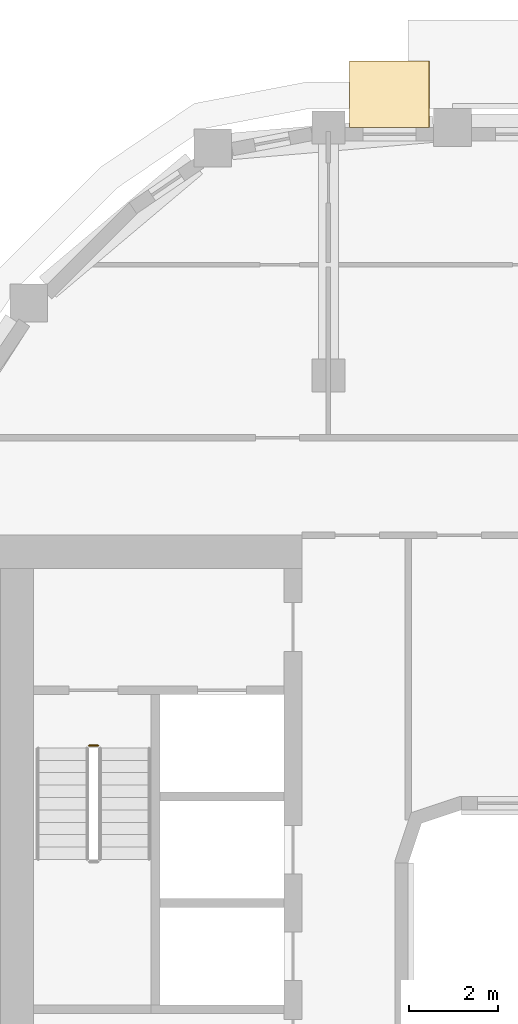
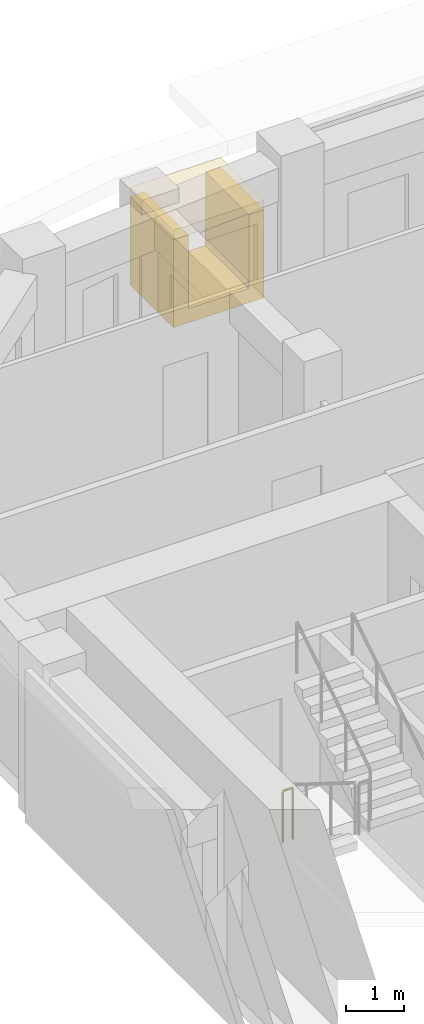
# One storey, part 19 of 21: 2 coverings, 1 railing.
"""IFC4 building model written with IfcOpenShell, lengths in metres."""

import ifcopenshell
import ifcopenshell.guid

model = None  # the IFC model being written
_history = None  # IfcOwnerHistory: only IFC2X3 demands one
_inside = {}  # id of a spatial element -> (the spatial element, [elements in it])
_under = {}  # id of a project, library or spatial element -> (it, [spatial elements below it])
_declared = {}  # id of a project -> (the project, [libraries it declares])
_typed = {}  # id of a type object -> (the type object, [elements of that type])
_made_of = {}  # id of a material, layer set ... -> (it, [elements and type objects made of it])


def new_model(schema):
    """Start an empty IFC model of exactly this schema.

    Asked for "IFC4X3", IfcOpenShell would pick the latest addendum, in which some entities
    have other attributes; the version numbers below select the first issue.
    IFC2X3 requires an IfcOwnerHistory on every rooted entity: one is made here for all.
    """
    global model, _history
    if schema == "IFC4X3":
        model = ifcopenshell.file(schema_version=(4, 3, 0, 0))
    else:
        model = ifcopenshell.file(schema=schema)
    _inside.clear()
    _under.clear()
    _declared.clear()
    _typed.clear()
    _made_of.clear()
    _history = None
    if model.schema == "IFC2X3":
        org = make("IfcOrganization", Name="unknown")
        user = make(
            "IfcPersonAndOrganization",
            ThePerson=make("IfcPerson", FamilyName="unknown"),
            TheOrganization=org,
        )
        app = make(
            "IfcApplication",
            ApplicationDeveloper=org,
            Version="unknown",
            ApplicationFullName="unknown",
            ApplicationIdentifier="unknown",
        )
        _history = make(
            "IfcOwnerHistory",
            OwningUser=user,
            OwningApplication=app,
            ChangeAction="ADDED",
            CreationDate=0,
        )
    return model


def make(cls, **values):
    """One entity of the class cls with the attributes given. An attribute that is None is left unset."""
    return model.create_entity(
        cls, **{name: value for name, value in values.items() if value is not None}
    )


def rooted(cls, **values):
    """An entity with a GlobalId (a new one), such as an element, a storey or a relation."""
    return make(cls, GlobalId=ifcopenshell.guid.new(), OwnerHistory=_history, **values)


def si_unit(unit_type, name, prefix=None):
    """IfcSIUnit, for example si_unit("LENGTHUNIT", "METRE", prefix="MILLI")."""
    return make("IfcSIUnit", UnitType=unit_type, Prefix=prefix, Name=name)


def assignment(units):
    """IfcUnitAssignment: the units of a project."""
    return None if units is None else make("IfcUnitAssignment", Units=units)


def point(xyz):
    """IfcCartesianPoint."""
    return None if xyz is None else make("IfcCartesianPoint", Coordinates=xyz)


def direction(xyz):
    """IfcDirection."""
    return None if xyz is None else make("IfcDirection", DirectionRatios=xyz)


def frame(location, z_axis=None, x_axis=None):
    """IfcAxis2Placement3D, a coordinate frame: its origin and axes. An axis left out is left unset."""
    return make(
        "IfcAxis2Placement3D",
        Location=point(location),
        Axis=direction(z_axis),
        RefDirection=direction(x_axis),
    )


def frame_2d(location, x_axis=None):
    """IfcAxis2Placement2D, a coordinate frame in the plane: its origin and x axis."""
    return make(
        "IfcAxis2Placement2D", Location=point(location), RefDirection=direction(x_axis)
    )


def origin():
    """The frame at (0, 0, 0) with its axes left unset."""
    return frame((0.0, 0.0, 0.0))


def origin_2d():
    """The frame at (0, 0) in the plane with its x axis left unset."""
    return frame_2d((0.0, 0.0))


def place(relative_to, where):
    """IfcLocalPlacement: puts the frame where relative to a parent placement (None: the world)."""
    return make(
        "IfcLocalPlacement", PlacementRelTo=relative_to, RelativePlacement=where
    )


def context(
    kind, dimensions, precision=None, world=None, true_north=None, identifier=None
):
    """IfcGeometricRepresentationContext, for example the 3D "Model" context."""
    return make(
        "IfcGeometricRepresentationContext",
        ContextIdentifier=identifier,
        ContextType=kind,
        CoordinateSpaceDimension=dimensions,
        Precision=precision,
        WorldCoordinateSystem=world,
        TrueNorth=true_north,
    )


def subcontext(parent, identifier, kind, view, scale=None):
    """IfcGeometricRepresentationSubContext, for example "Body" below "Model"."""
    return make(
        "IfcGeometricRepresentationSubContext",
        ContextIdentifier=identifier,
        ContextType=kind,
        ParentContext=parent,
        TargetScale=scale,
        TargetView=view,
    )


def project(units=None, contexts=None):
    """IfcProject with its units and contexts."""
    return rooted(
        "IfcProject",
        Name="project",
        RepresentationContexts=contexts,
        UnitsInContext=assignment(units),
    )


def spatial(cls, under=None, at=None, **own):
    """A site, building, storey or space (cls), placed at a placement, below another one or the project."""
    s = rooted(cls, ObjectPlacement=at, **own)
    if under is not None:
        _under.setdefault(under.id(), (under, []))[1].append(s)
    return s


def polyline(points):
    """IfcPolyline through the points."""
    return make("IfcPolyline", Points=[point(p) for p in points])


def profile(cls, at=None, kind="AREA", **sizes):
    """A parametric profile (cls). Its sizes go by their IFC names, for example OverallWidth=200.0."""
    return make(cls, ProfileType=kind, Position=at, **sizes)


def rectangle(**sizes):
    """IfcRectangleProfileDef."""
    return profile("IfcRectangleProfileDef", **sizes)


def circle(**sizes):
    """IfcCircleProfileDef."""
    return profile("IfcCircleProfileDef", **sizes)


def outline(outer, holes=None, kind="AREA"):
    """IfcArbitraryClosedProfileDef: a profile drawn as a closed curve; with holes, ...WithVoids."""
    if holes is None:
        return make("IfcArbitraryClosedProfileDef", ProfileType=kind, OuterCurve=outer)
    return make(
        "IfcArbitraryProfileDefWithVoids",
        ProfileType=kind,
        OuterCurve=outer,
        InnerCurves=holes,
    )


def extrude(swept, where, along, depth):
    """IfcExtrudedAreaSolid: the profile swept, set in the frame where, extruded along a direction by depth."""
    return make(
        "IfcExtrudedAreaSolid",
        SweptArea=swept,
        Position=where,
        ExtrudedDirection=direction(along),
        Depth=depth,
    )


def shape(context_of_items, identifier, shape_type, items):
    """IfcShapeRepresentation: the items that make up one representation, for example the "Body"."""
    return make(
        "IfcShapeRepresentation",
        ContextOfItems=context_of_items,
        RepresentationIdentifier=identifier,
        RepresentationType=shape_type,
        Items=items,
    )


def material(Name=None, Category=None):
    """IfcMaterial."""
    return make("IfcMaterial", Name=Name, Category=Category)


def layer(
    of_material, thickness, ventilated=None, Name=None, Category=None, Priority=None
):
    """IfcMaterialLayer: one layer of a wall or slab, of a material (None: an air gap)."""
    return make(
        "IfcMaterialLayer",
        Material=of_material,
        LayerThickness=thickness,
        IsVentilated=ventilated,
        Name=Name,
        Category=Category,
        Priority=Priority,
    )


def layer_set(layers, Name=None):
    """IfcMaterialLayerSet."""
    return make("IfcMaterialLayerSet", MaterialLayers=layers, LayerSetName=Name)


def made_of(thing, what):
    """Note that an element or type object is made of a material, layer set ...; save() writes the relation."""
    if what is not None:
        _made_of.setdefault(what.id(), (what, []))[1].append(thing)
    return thing


def type_object(cls, material=None, **own):
    """A type object (cls), such as IfcWallType, which elements share."""
    return made_of(rooted(cls, **own), material)


def element(
    cls,
    number,
    at=None,
    inside=None,
    cuts=None,
    type_object=None,
    material=None,
    context=None,
    identifier="Body",
    shape_type=None,
    held_by="IfcProductDefinitionShape",
    body=None,
    shapes=None,
    **own,
):
    """One element of the class cls, such as IfcWall. Its Tag is "e" and its number.

    at: its placement. inside: the storey or other place that contains it. cuts: it is an
    opening in that element (IfcRelVoidsElement). A single representation is given by context,
    identifier, shape_type and body (its items); several are given by shapes. held_by: the class
    of the entity that holds the representations. save() writes the other relations.
    """
    e = rooted(cls, Tag="e%d" % number, ObjectPlacement=at, **own)
    if body is not None:
        shapes = [shape(context, identifier, shape_type, body)]
    if shapes is not None:
        e.Representation = make(held_by, Representations=shapes)
    if inside is not None:
        _inside.setdefault(inside.id(), (inside, []))[1].append(e)
    if cuts is not None:
        rooted(
            "IfcRelVoidsElement", RelatingBuildingElement=cuts, RelatedOpeningElement=e
        )
    if type_object is not None:
        _typed.setdefault(type_object.id(), (type_object, []))[1].append(e)
    return made_of(e, material)


def aggregate(whole, parts):
    """IfcRelAggregates: a whole, such as a stair, and the parts it consists of."""
    return rooted("IfcRelAggregates", RelatingObject=whole, RelatedObjects=parts)


def save(model, path):
    """Write the relations noted so far, then the file.

    IfcRelAggregates (storeys below a building ...), IfcRelContainedInSpatialStructure (elements
    in a storey), IfcRelDefinesByType, IfcRelAssociatesMaterial and IfcRelDeclares: one each for
    every whole, place, type object, material and project.
    """
    for whole, parts in _under.values():
        aggregate(whole, parts)
    for where, things in _inside.values():
        rooted(
            "IfcRelContainedInSpatialStructure",
            RelatedElements=things,
            RelatingStructure=where,
        )
    for kind, things in _typed.values():
        rooted("IfcRelDefinesByType", RelatedObjects=things, RelatingType=kind)
    for what, things in _made_of.values():
        rooted("IfcRelAssociatesMaterial", RelatedObjects=things, RelatingMaterial=what)
    for by, libraries in _declared.values():
        rooted("IfcRelDeclares", RelatingContext=by, RelatedDefinitions=libraries)
    model.write(path)


model = new_model("IFC4")

# Units and contexts
model_context = context("Model", 3, precision=1e-05, world=origin(), true_north=direction((0.0, 1.0)))
body_context = subcontext(model_context, "Body", "Model", "MODEL_VIEW")
ifc_project = project(units=[si_unit("LENGTHUNIT", "METRE"), si_unit("AREAUNIT", "SQUARE_METRE"), si_unit("VOLUMEUNIT", "CUBIC_METRE"), si_unit("PLANEANGLEUNIT", "RADIAN"), si_unit("MASSUNIT", "GRAM", prefix="KILO")], contexts=[model_context])

# Site, building, storey
site_placement = place(None, origin())
site = spatial("IfcSite", under=ifc_project, at=site_placement, CompositionType="ELEMENT")
building_placement = place(site_placement, origin())
building = spatial("IfcBuilding", under=site, at=building_placement, Name="Kiln Ring Residences", CompositionType="ELEMENT")
storey_placement = place(building_placement, frame((0.0, 0.0, 223.89990234375)))
storey = spatial("IfcBuildingStorey", under=building, at=storey_placement, Name="L58", CompositionType="ELEMENT", Elevation=223.89990234375)

# Railing
ifc_material_1 = material(Name="Stainless steel", Category="steel")
railing_type = type_object("IfcRailingType", Name="CORE-STAIR-GUARD", PredefinedType="GUARDRAIL", material=ifc_material_1)
railing_placement = place(storey_placement, frame((-22.199951171875, 8.449951171875, 0.0)))
element("IfcRailing", 1, at=railing_placement, inside=storey, type_object=railing_type, Name="L58 W-STN stair guard 4", PredefinedType="GUARDRAIL", context=body_context, shape_type="SweptSolid", body=[
    extrude(circle(Radius=0.02392578125, at=origin_2d()), frame((0.0, 0.0, 1.076171875), z_axis=(1.0, 0.0, 0.0), x_axis=(0.0, 1.0, 0.0)), (0.0, 0.0, 1.0), 0.199951171875),
    extrude(circle(Radius=0.02099609375, at=origin_2d()), origin(), (0.0, 0.0, 1.0), 1.052001953125),
    extrude(circle(Radius=0.02099609375, at=origin_2d()), frame((0.199951171875, 0.0, 0.0)), (0.0, 0.0, 1.0), 1.052001953125),
])

# Coverings
ifc_material_2 = material(Name="Brick masonry, dark clay brick", Category="masonry")
ifc_layer_1 = layer(ifc_material_2, 0.300048828125)
ifc_layer_set_1 = layer_set([ifc_layer_1], Name="FRAME CHEEKS AND SILL 1500")
covering_type_1 = type_object("IfcCoveringType", Name="FRAME CHEEKS AND SILL 1500", PredefinedType="CLADDING", material=ifc_layer_set_1)
covering_1_placement = place(storey_placement, frame((-14.52490234375, 23.14990234375, 0.300048828125), z_axis=(0.0, 0.0, 1.0), x_axis=(-1.0, 0.0, 0.0)))
element("IfcCovering", 2, at=covering_1_placement, inside=storey, type_object=covering_type_1, Name="FRAME L58", PredefinedType="CLADDING", context=body_context, shape_type="SweptSolid", body=[
    extrude(outline(polyline([(0.0, 0.0), (1.800048828125, 0.0), (1.800048828125, 1.85009765625), (1.5009765625, 1.85009765625), (1.5, 0.300048828125), (0.300048828125, 0.300048828125), (0.299072265625, 1.85009765625), (0.0, 1.85009765625), (0.0, 0.0)])), frame((0.0, 0.75, 0.0), z_axis=(0.0, -1.0, 0.0), x_axis=(1.0, 0.0, 0.0)), (0.0, 0.0, 1.0), 1.5),
])
ifc_material_3 = material(Name="Brick masonry, dark clay brick", Category="masonry")
ifc_layer_2 = layer(ifc_material_3, 0.199951171875)
ifc_layer_set_2 = layer_set([ifc_layer_2], Name="FRAME HEAD 1500")
covering_type_2 = type_object("IfcCoveringType", Name="FRAME HEAD 1500", PredefinedType="CLADDING", material=ifc_layer_set_2)
covering_2_placement = place(storey_placement, frame((-15.425048828125, 23.14990234375, 2.14990234375), z_axis=(0.0, 0.0, 1.0), x_axis=(-1.0, 0.0, 0.0)))
element("IfcCovering", 3, at=covering_2_placement, inside=storey, type_object=covering_type_2, Name="FRAME HEAD L58", PredefinedType="CLADDING", context=body_context, shape_type="SweptSolid", body=[
    extrude(rectangle(XDim=1.800048828125, YDim=1.5, at=origin_2d()), origin(), (0.0, 0.0, 1.0), 0.199951171875),
])

save(model, "model.ifc")
